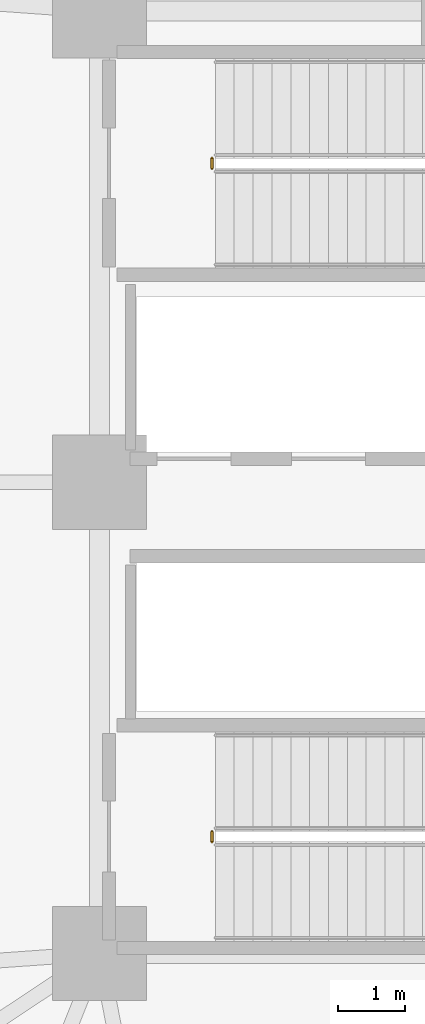
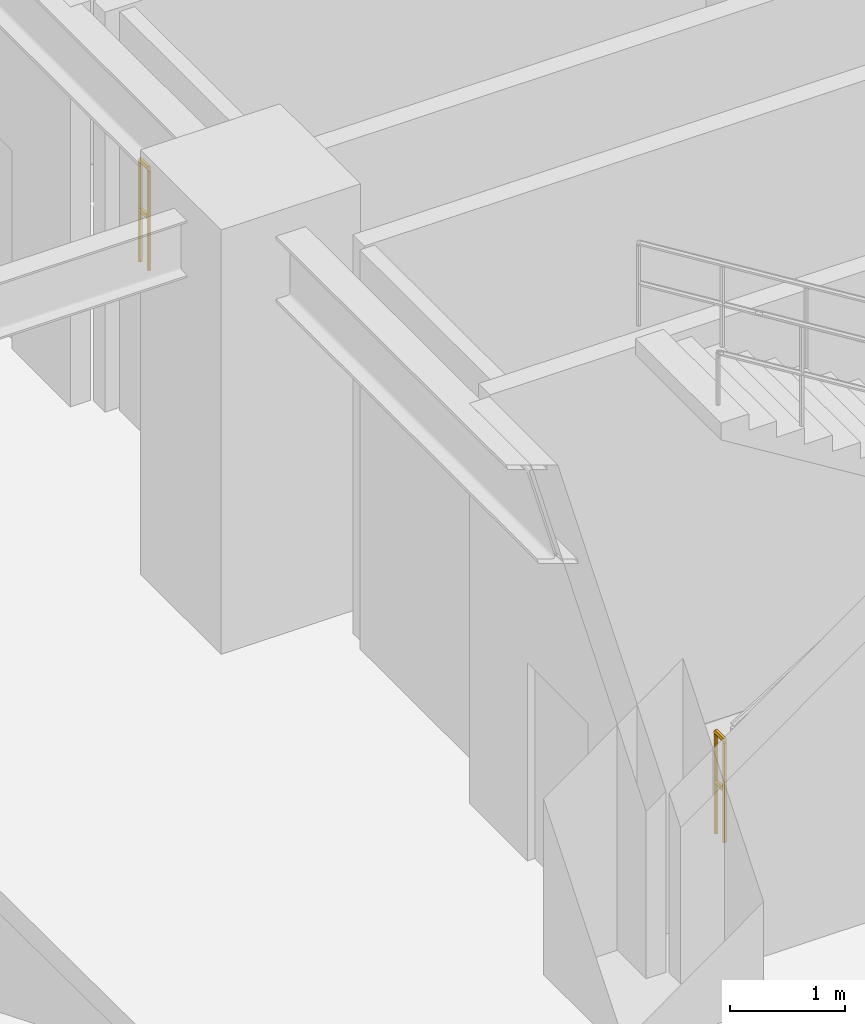
# One storey, part 43 of 46: 2 railings.
"""IFC4 building model written with IfcOpenShell, lengths in metres."""

from ifc_helpers import new_model, si_unit, direction, frame, origin, place, context, subcontext, project, spatial, polyline, outline, extrude, material, type_object, element, save


model = new_model("IFC4")

# Units and contexts
model_context = context("Model", 3, precision=1e-05, world=origin(), true_north=direction((0.0, 1.0)))
body_context = subcontext(model_context, "Body", "Model", "MODEL_VIEW")
ifc_project = project(units=[si_unit("LENGTHUNIT", "METRE"), si_unit("AREAUNIT", "SQUARE_METRE"), si_unit("VOLUMEUNIT", "CUBIC_METRE"), si_unit("PLANEANGLEUNIT", "RADIAN"), si_unit("MASSUNIT", "GRAM", prefix="KILO")], contexts=[model_context])

# Site, building, storey
site_placement = place(None, origin())
site = spatial("IfcSite", under=ifc_project, at=site_placement, CompositionType="ELEMENT")
building_placement = place(site_placement, origin())
building = spatial("IfcBuilding", under=site, at=building_placement, Name="Kelanora Arch Commons", CompositionType="ELEMENT")
storey_placement = place(building_placement, frame((0.0, 0.0, 18.0)))
storey = spatial("IfcBuildingStorey", under=building, at=storey_placement, Name="L04", CompositionType="ELEMENT", Elevation=18.0)

# Railings
ifc_material = material(Name="Painted steel stair well guard", Category="steel")
railing_type = type_object("IfcRailingType", Name="RAIL-STAIR-GRD", PredefinedType="GUARDRAIL", material=ifc_material)
for number, where, name in (
    (1, (67.669921875, 62.659912109375, 0.0), "L04 ST-T1 stair guard 4"),
    (2, (67.669921875, 52.659912109375, 0.0), "L04 ST-T3 stair guard 4"),
):
    element("IfcRailing", number, at=place(storey_placement, frame(where)), inside=storey, type_object=railing_type, Name=name, PredefinedType="GUARDRAIL", context=body_context, shape_type="SweptSolid", body=[
        extrude(outline(polyline([(0.02392578125, 0.0), (0.011962890625, 0.020751953125), (-0.011962890625, 0.020751953125), (-0.02392578125, 0.0), (-0.011962890625, -0.020751953125), (0.011962890625, -0.020751953125), (0.02392578125, 0.0)])), frame((0.0, 0.0, 1.076171875), z_axis=(0.0, 1.0, 0.0), x_axis=(-1.0, 0.0, 0.0)), (0.0, 0.0, 1.0), 0.150146484375),
        extrude(outline(polyline([(0.02392578125, 0.0), (0.011962890625, 0.020751953125), (-0.011962890625, 0.020751953125), (-0.02392578125, 0.0), (-0.011962890625, -0.020751953125), (0.011962890625, -0.020751953125), (0.02392578125, 0.0)])), frame((0.0, 0.0, 0.550048828125), z_axis=(0.0, 1.0, 0.0), x_axis=(-1.0, 0.0, 0.0)), (0.0, 0.0, 1.0), 0.150146484375),
        extrude(outline(polyline([(0.02099609375, 0.0), (0.010498046875, 0.01806640625), (-0.010498046875, 0.01806640625), (-0.02099609375, 0.0), (-0.010498046875, -0.01806640625), (0.010498046875, -0.01806640625), (0.02099609375, 0.0)])), origin(), (0.0, 0.0, 1.0), 1.052001953125),
        extrude(outline(polyline([(0.02099609375, 0.0), (0.010498046875, 0.01806640625), (-0.010498046875, 0.01806640625), (-0.02099609375, 0.0), (-0.010498046875, -0.01806640625), (0.010498046875, -0.01806640625), (0.02099609375, 0.0)])), frame((0.0, 0.150146484375, 0.0)), (0.0, 0.0, 1.0), 1.052001953125),
    ])

save(model, "model.ifc")
